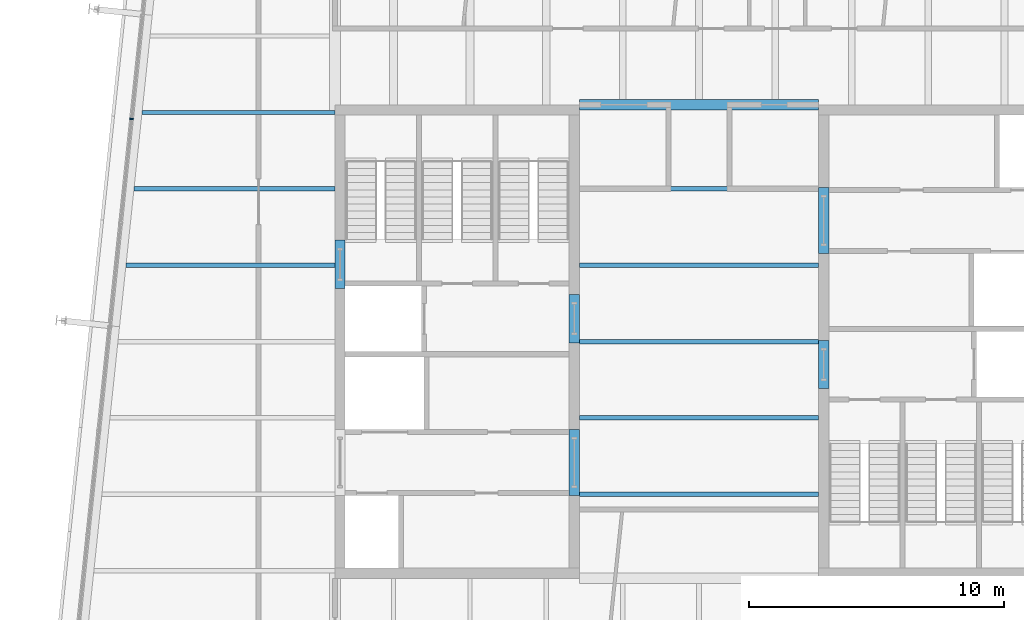
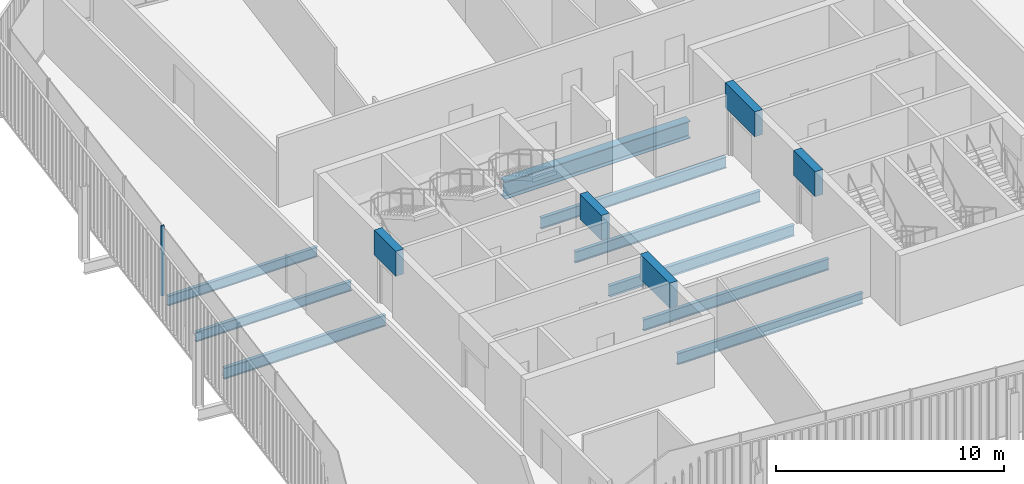
# One storey, part 8 of 20: 14 beams, 1 member, 1 element without a shape of its own.
"""IFC4 building model written with IfcOpenShell, lengths in metres."""

from ifc_helpers import new_model, si_unit, direction, frame, origin, origin_2d, place, context, subcontext, project, spatial, rectangle, i_section, extrude, material, layer, layer_set, material_profile, profile_set, type_object, element, aggregate, save


model = new_model("IFC4")

# Units and contexts
model_context = context("Model", 3, precision=1e-05, world=origin(), true_north=direction((0.0, 1.0)))
body_context = subcontext(model_context, "Body", "Model", "MODEL_VIEW")
ifc_project = project(units=[si_unit("LENGTHUNIT", "METRE"), si_unit("AREAUNIT", "SQUARE_METRE"), si_unit("VOLUMEUNIT", "CUBIC_METRE"), si_unit("PLANEANGLEUNIT", "RADIAN"), si_unit("MASSUNIT", "GRAM", prefix="KILO")], contexts=[model_context])

# Site, building, storey
site_placement = place(None, origin())
site = spatial("IfcSite", under=ifc_project, at=site_placement, CompositionType="ELEMENT")
building_placement = place(site_placement, origin())
building = spatial("IfcBuilding", under=site, at=building_placement, Name="Millrace Tower", CompositionType="ELEMENT")
storey_placement = place(building_placement, frame((0.0, 0.0, 279.89990234375)))
storey = spatial("IfcBuildingStorey", under=building, at=storey_placement, Name="L64", CompositionType="ELEMENT", Elevation=279.89990234375)

# Curtain wall, member
ifc_material_1 = material(Name="Aluminium and glass", Category="aluminium")
ifc_layer = layer(ifc_material_1, 0.14990234375)
ifc_layer_set = layer_set([ifc_layer], Name="Aluminium and glass")
curtain_wall_type = type_object("IfcCurtainWallType", Name="CW-1 office vision curtain wall", PredefinedType="NOTDEFINED", material=ifc_layer_set)
curtain_wall_placement = place(storey_placement, origin())
curtain_wall = element("IfcCurtainWall", 1, at=curtain_wall_placement, inside=storey, type_object=curtain_wall_type, Name="Curtain wall E-F08 L64", PredefinedType="NOTDEFINED")
ifc_material_2 = material(Name="Aluminium", Category="aluminium")
ifc_material_profile_1 = material_profile(ifc_material_2, rectangle(XDim=0.06494140625, YDim=0.14990234375, at=origin_2d()))
ifc_profile_set_1 = profile_set([ifc_material_profile_1], Name="Aluminium")
member_type = type_object("IfcMemberType", Name="CW-1 office vision curtain wall mullion", PredefinedType="MULLION", material=ifc_profile_set_1)
member_placement = place(storey_placement, frame((-22.2890625, 8.742431640625, 0.14013671875), z_axis=(0.0, 0.0, 1.0), x_axis=(-0.104528455196, -0.994521896217, 0.0)))
member = element("IfcMember", 2, at=member_placement, type_object=member_type, Name="CW1 mullion E-F08.5", PredefinedType="MULLION", context=body_context, shape_type="SweptSolid", body=[
    extrude(rectangle(XDim=0.06494140625, YDim=0.14990234375, at=origin_2d()), origin(), (0.0, 0.0, 1.0), 3.760009765625),
])
aggregate(curtain_wall, [member])

# Beams
ifc_material_3 = material(Name="Concrete C60", Category="concrete")
ifc_material_profile_2 = material_profile(ifc_material_3, rectangle(XDim=0.39990234375, YDim=1.340087890625, at=origin_2d()))
ifc_profile_set_2 = profile_set([ifc_material_profile_2], Name="Concrete C60")
beam_type_1 = type_object("IfcBeamType", Name="Coupling beam 400 x 1340 Concrete C60, 1300 opening", PredefinedType="BEAM", material=ifc_profile_set_2)
beam_1_placement = place(storey_placement, frame((-14.10009765625, 2.080078125, 3.070068359375), z_axis=(0.0, 1.0, 0.0), x_axis=(-1.0, 0.0, 0.0)))
element("IfcBeam", 3, at=beam_1_placement, inside=storey, type_object=beam_type_1, Name="Coupling beam W L64", PredefinedType="BEAM", context=body_context, shape_type="SweptSolid", body=[
    extrude(rectangle(XDim=0.39990234375, YDim=1.340087890625, at=origin_2d()), origin(), (0.0, 0.0, 1.0), 1.89990234375),
])
for number, where, z_axis, x_axis, name in (
    (4, (-4.89990234375, -0.050048828125, 3.070068359375), (0.0, 1.0, 0.0), (-1.0, 0.0, 0.0), "Coupling beam W L64"),
    (5, (4.89990234375, 0.050048828125, 3.070068359375), (0.0, -1.0, 0.0), (1.0, 0.0, 0.0), "Coupling beam E L64"),
):
    element("IfcBeam", number, at=place(storey_placement, frame(where, z_axis=z_axis, x_axis=x_axis)), inside=storey, type_object=beam_type_1, Name=name, PredefinedType="BEAM", context=body_context, shape_type="SweptSolid", body=[
        extrude(rectangle(XDim=0.39990234375, YDim=1.340087890625, at=origin_2d()), origin(), (0.0, 0.0, 1.0), 1.900146484375),
    ])
ifc_material_4 = material(Name="Concrete C60", Category="concrete")
ifc_material_profile_3 = material_profile(ifc_material_4, rectangle(XDim=0.39990234375, YDim=1.340087890625, at=origin_2d()))
ifc_profile_set_3 = profile_set([ifc_material_profile_3], Name="Concrete C60")
beam_type_2 = type_object("IfcBeamType", Name="Coupling beam 400 x 1340 Concrete C60, 2000 opening", PredefinedType="BEAM", material=ifc_profile_set_3)
for number, where, z_axis, x_axis, name in (
    (6, (-4.89990234375, -6.050048828125, 3.070068359375), (0.0, 1.0, 0.0), (-1.0, 0.0, 0.0), "Coupling beam W L64"),
    (7, (4.89990234375, 6.050048828125, 3.070068359375), (0.0, -1.0, 0.0), (1.0, 0.0, 0.0), "Coupling beam E L64"),
):
    element("IfcBeam", number, at=place(storey_placement, frame(where, z_axis=z_axis, x_axis=x_axis)), inside=storey, type_object=beam_type_2, Name=name, PredefinedType="BEAM", context=body_context, shape_type="SweptSolid", body=[
        extrude(rectangle(XDim=0.39990234375, YDim=1.340087890625, at=origin_2d()), origin(), (0.0, 0.0, 1.0), 2.60009765625),
    ])
ifc_material_5 = material(Name="Steel ASTM A992 Grade 50", Category="steel")
ifc_material_profile_4 = material_profile(ifc_material_5, i_section(OverallWidth=0.1650390625, OverallDepth=0.52587890625, WebThickness=0.0087890625, FlangeThickness=0.011474609375, FilletRadius=0.0126953125, at=origin_2d()))
ifc_profile_set_4 = profile_set([ifc_material_profile_4], Name="Steel ASTM A992 Grade 50")
beam_type_3 = type_object("IfcBeamType", Name="Floor beam W21x44", PredefinedType="JOIST", material=ifc_profile_set_4)
beam_2_placement = place(storey_placement, frame((-22.19287109375, 6.0, -0.4228515625), z_axis=(1.0, 0.0, 0.0), x_axis=(0.0, 1.0, 0.0)))
element("IfcBeam", 8, at=beam_2_placement, inside=storey, type_object=beam_type_3, Name="BM-E-L64-S1-S021", PredefinedType="JOIST", context=body_context, shape_type="SweptSolid", body=[
    extrude(i_section(OverallWidth=0.1650390625, OverallDepth=0.52587890625, WebThickness=0.0087890625, FlangeThickness=0.011474609375, FilletRadius=0.0126953125, at=origin_2d()), origin(), (0.0, 0.0, 1.0), 7.892822265625),
])
beam_3_placement = place(storey_placement, frame((-21.87744140625, 9.0, -0.4228515625), z_axis=(1.0, 0.0, 0.0), x_axis=(0.0, 1.0, 0.0)))
element("IfcBeam", 9, at=beam_3_placement, inside=storey, type_object=beam_type_3, Name="BM-E-L64-S1-S023", PredefinedType="JOIST", context=body_context, shape_type="SweptSolid", body=[
    extrude(i_section(OverallWidth=0.1650390625, OverallDepth=0.52587890625, WebThickness=0.0087890625, FlangeThickness=0.011474609375, FilletRadius=0.0126953125, at=origin_2d()), origin(), (0.0, 0.0, 1.0), 7.577392578125),
])
ifc_material_6 = material(Name="Steel ASTM A992 Grade 50", Category="steel")
ifc_material_profile_5 = material_profile(ifc_material_6, i_section(OverallWidth=0.177978515625, OverallDepth=0.599365234375, WebThickness=0.010009765625, FlangeThickness=0.012939453125, FilletRadius=0.012939453125, at=origin_2d()))
ifc_profile_set_5 = profile_set([ifc_material_profile_5], Name="Steel ASTM A992 Grade 50")
beam_type_4 = type_object("IfcBeamType", Name="Floor beam W24x55", PredefinedType="JOIST", material=ifc_profile_set_5)
for number, where, z_axis, x_axis, name in (
    (10, (-4.699951171875, -6.0, -0.459716796875), (1.0, 0.0, 0.0), (0.0, 1.0, 0.0), "BM-E-L64-S1-S008"),
    (11, (-4.699951171875, -3.0, -0.459716796875), (1.0, 0.0, 0.0), (0.0, 1.0, 0.0), "BM-E-L64-S1-S011"),
    (12, (-4.699951171875, 0.0, -0.459716796875), (1.0, 0.0, 0.0), (0.0, 1.0, 0.0), "BM-E-L64-S1-S014"),
    (13, (-4.699951171875, 3.0, -0.459716796875), (1.0, 0.0, 0.0), (0.0, 1.0, 0.0), "BM-E-L64-S1-S017"),
):
    element("IfcBeam", number, at=place(storey_placement, frame(where, z_axis=z_axis, x_axis=x_axis)), inside=storey, type_object=beam_type_4, Name=name, PredefinedType="JOIST", context=body_context, shape_type="SweptSolid", body=[
        extrude(i_section(OverallWidth=0.177978515625, OverallDepth=0.599365234375, WebThickness=0.010009765625, FlangeThickness=0.012939453125, FilletRadius=0.012939453125, at=origin_2d()), origin(), (0.0, 0.0, 1.0), 9.39990234375),
    ])
beam_4_placement = place(storey_placement, frame((-22.508056640625, 3.0, -0.459716796875), z_axis=(1.0, 0.0, 0.0), x_axis=(0.0, 1.0, 0.0)))
element("IfcBeam", 14, at=beam_4_placement, inside=storey, type_object=beam_type_4, Name="BM-E-L64-S1-S018", PredefinedType="JOIST", context=body_context, shape_type="SweptSolid", body=[
    extrude(i_section(OverallWidth=0.177978515625, OverallDepth=0.599365234375, WebThickness=0.010009765625, FlangeThickness=0.012939453125, FilletRadius=0.012939453125, at=origin_2d()), origin(), (0.0, 0.0, 1.0), 8.2080078125),
])
beam_5_placement = place(storey_placement, frame((-4.699951171875, 6.0, -0.459716796875), z_axis=(1.0, 0.0, 0.0), x_axis=(0.0, 1.0, 0.0)))
element("IfcBeam", 15, at=beam_5_placement, inside=storey, type_object=beam_type_4, Name="BM-E-L64-S1-S020", PredefinedType="JOIST", context=body_context, shape_type="SweptSolid", body=[
    extrude(i_section(OverallWidth=0.177978515625, OverallDepth=0.599365234375, WebThickness=0.010009765625, FlangeThickness=0.012939453125, FilletRadius=0.012939453125, at=origin_2d()), origin(), (0.0, 0.0, 1.0), 9.39990234375),
])
ifc_material_7 = material(Name="Steel ASTM A992 Grade 50", Category="steel")
ifc_material_profile_6 = material_profile(ifc_material_7, i_section(OverallWidth=0.419189453125, OverallDepth=0.927001953125, WebThickness=0.019287109375, FlangeThickness=0.031982421875, FilletRadius=0.024169921875, at=origin_2d()))
ifc_profile_set_6 = profile_set([ifc_material_profile_6], Name="Steel ASTM A992 Grade 50")
beam_type_5 = type_object("IfcBeamType", Name="Girder short span W36x231", PredefinedType="BEAM", material=ifc_profile_set_6)
beam_6_placement = place(storey_placement, frame((-4.699951171875, 9.300048828125, -0.62353515625), z_axis=(1.0, 0.0, 0.0), x_axis=(0.0, 1.0, 0.0)))
element("IfcBeam", 16, at=beam_6_placement, inside=storey, type_object=beam_type_5, Name="BM-E-L64-S1-G058", PredefinedType="BEAM", context=body_context, shape_type="SweptSolid", body=[
    extrude(i_section(OverallWidth=0.419189453125, OverallDepth=0.927001953125, WebThickness=0.019287109375, FlangeThickness=0.031982421875, FilletRadius=0.024169921875, at=origin_2d()), origin(), (0.0, 0.0, 1.0), 9.39990234375),
])

save(model, "model.ifc")
